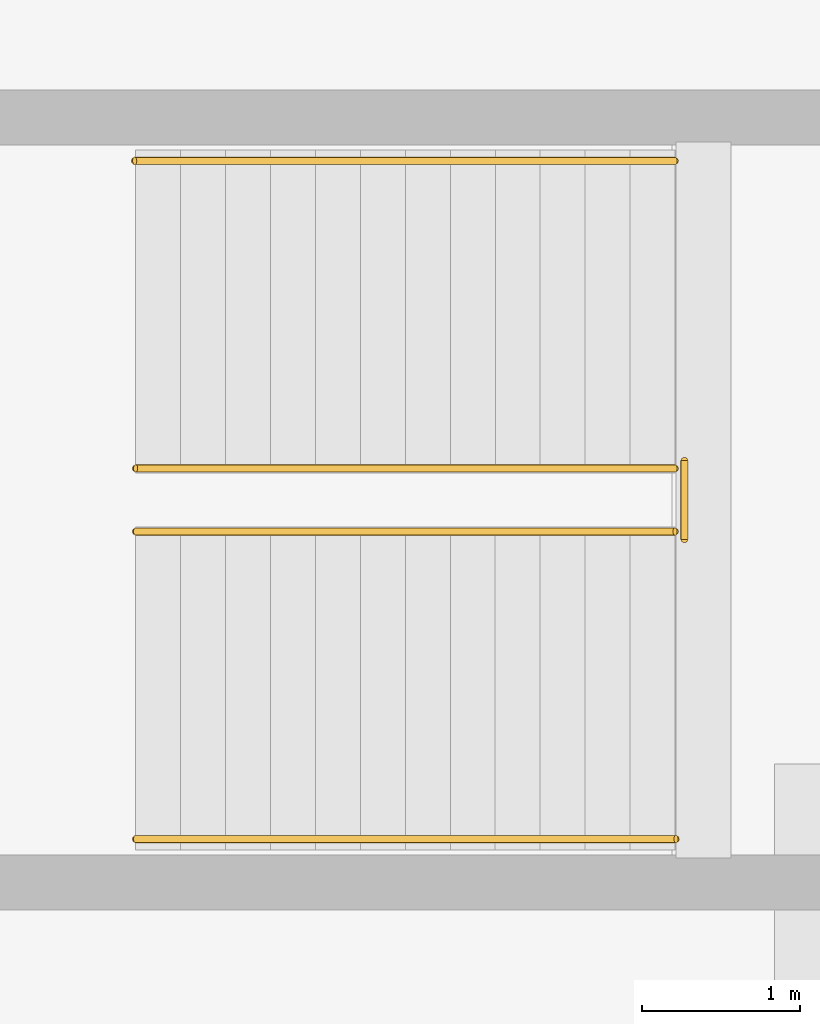
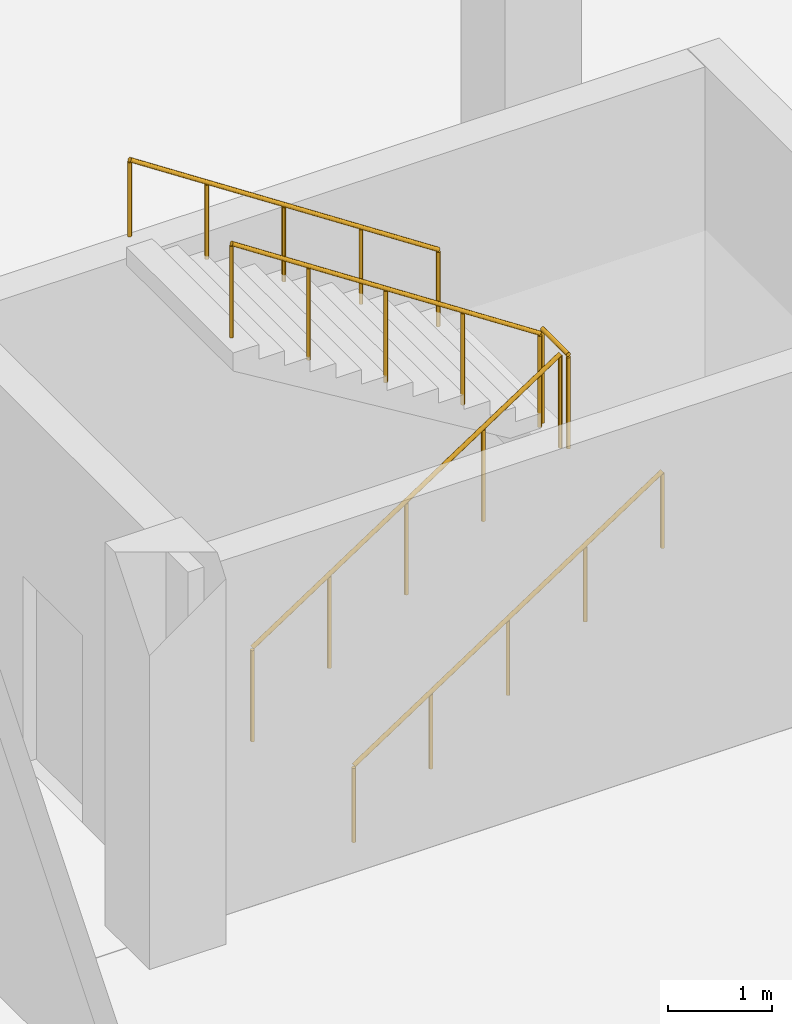
# One storey, part 29 of 29: 5 railings.
"""IFC4 building model written with IfcOpenShell, lengths in metres."""

from ifc_helpers import new_model, si_unit, direction, frame, origin, origin_2d, place, context, subcontext, project, spatial, circle, extrude, material, layer, layer_set, type_object, element, save


model = new_model("IFC4")

# Units and contexts
model_context = context("Model", 3, precision=1e-05, world=origin(), true_north=direction((0.0, 1.0)))
body_context = subcontext(model_context, "Body", "Model", "MODEL_VIEW")
ifc_project = project(units=[si_unit("LENGTHUNIT", "METRE"), si_unit("AREAUNIT", "SQUARE_METRE"), si_unit("VOLUMEUNIT", "CUBIC_METRE"), si_unit("PLANEANGLEUNIT", "RADIAN"), si_unit("MASSUNIT", "GRAM", prefix="KILO")], contexts=[model_context])

# Site, building, storey
site_placement = place(None, origin())
site = spatial("IfcSite", under=ifc_project, at=site_placement, CompositionType="ELEMENT")
building_placement = place(site_placement, origin())
building = spatial("IfcBuilding", under=site, at=building_placement, Name="Meriwether Solvik Hall", CompositionType="ELEMENT")
storey_placement = place(building_placement, frame((0.0, 0.0, -9.0)))
storey = spatial("IfcBuildingStorey", under=building, at=storey_placement, Name="B02", CompositionType="ELEMENT", Elevation=-9.0)

# Railings
ifc_material_1 = material(Name="Steel A36 Galvanised", Category="steel")
ifc_layer_1 = layer(ifc_material_1, 0.054931640625)
ifc_layer_set_1 = layer_set([ifc_layer_1], Name="Steel A36 Galvanised")
railing_type_1 = type_object("IfcRailingType", Name="RAIL-STR-GUARD", PredefinedType="GUARDRAIL", material=ifc_layer_set_1)
railing_1_placement = place(storey_placement, frame((146.429931640625, 60.75, 2.25)))
element("IfcRailing", 1, at=railing_1_placement, inside=storey, type_object=railing_type_1, Name="Stair ST-05 Landing Guardrail (B02)", PredefinedType="GUARDRAIL", context=body_context, shape_type="SweptSolid", body=[
    extrude(circle(Radius=0.02392578125, at=origin_2d()), frame((0.0, 0.0, 1.09619140625), z_axis=(0.0, 1.0, 0.0), x_axis=(-1.0, 0.0, 0.0)), (0.0, 0.0, 1.0), 0.5),
    extrude(circle(Radius=0.02099609375, at=origin_2d()), origin(), (0.0, 0.0, 1.0), 1.072021484375),
    extrude(circle(Radius=0.02099609375, at=origin_2d()), frame((0.0, 0.5, 0.0)), (0.0, 0.0, 1.0), 1.072021484375),
])
railing_2_placement = place(storey_placement, frame((142.949951171875, 60.800048828125, 0.0)))
element("IfcRailing", 2, at=railing_2_placement, inside=storey, type_object=railing_type_1, Name="Stair ST-05 Flight 1 Inner Guardrail (B02)", PredefinedType="GUARDRAIL", context=body_context, shape_type="SweptSolid", body=[
    extrude(circle(Radius=0.02392578125, at=origin_2d()), frame((0.0, 0.0, 1.09619140625), z_axis=(0.835429331894, 0.0, 0.549597881557), x_axis=(0.0, 1.0, 0.0)), (0.0, 0.0, 1.0), 4.093994140625),
    extrude(circle(Radius=0.02099609375, at=origin_2d()), origin(), (0.0, 0.0, 1.0), 1.072021484375),
    extrude(circle(Radius=0.02099609375, at=origin_2d()), frame((0.85498046875, 0.0, 0.5625)), (0.0, 0.0, 1.0), 1.072021484375),
    extrude(circle(Radius=0.02099609375, at=origin_2d()), frame((1.7099609375, 0.0, 1.125)), (0.0, 0.0, 1.0), 1.072021484375),
    extrude(circle(Radius=0.02099609375, at=origin_2d()), frame((2.565185546875, 0.0, 1.6875)), (0.0, 0.0, 1.0), 1.072021484375),
    extrude(circle(Radius=0.02099609375, at=origin_2d()), frame((3.420166015625, 0.0, 2.25)), (0.0, 0.0, 1.0), 1.072021484375),
])
railing_3_placement = place(storey_placement, frame((146.3701171875, 61.199951171875, 2.25)))
element("IfcRailing", 3, at=railing_3_placement, inside=storey, type_object=railing_type_1, Name="Stair ST-05 Flight 2 Inner Guardrail (B02)", PredefinedType="GUARDRAIL", context=body_context, shape_type="SweptSolid", body=[
    extrude(circle(Radius=0.02392578125, at=origin_2d()), frame((0.0, 0.0, 1.09619140625), z_axis=(-0.835429331894, 0.0, 0.549597881557), x_axis=(0.0, -1.0, 0.0)), (0.0, 0.0, 1.0), 4.093994140625),
    extrude(circle(Radius=0.02099609375, at=origin_2d()), origin(), (0.0, 0.0, 1.0), 1.072021484375),
    extrude(circle(Radius=0.02099609375, at=origin_2d()), frame((-0.85498046875, 0.0, 0.5625)), (0.0, 0.0, 1.0), 1.072021484375),
    extrude(circle(Radius=0.02099609375, at=origin_2d()), frame((-1.7099609375, 0.0, 1.125)), (0.0, 0.0, 1.0), 1.072021484375),
    extrude(circle(Radius=0.02099609375, at=origin_2d()), frame((-2.565185546875, 0.0, 1.6875)), (0.0, 0.0, 1.0), 1.072021484375),
    extrude(circle(Radius=0.02099609375, at=origin_2d()), frame((-3.420166015625, 0.0, 2.25)), (0.0, 0.0, 1.0), 1.072021484375),
])
ifc_material_2 = material(Name="Stainless Steel AISI 316", Category="steel")
ifc_layer_2 = layer(ifc_material_2, 0.044921875)
ifc_layer_set_2 = layer_set([ifc_layer_2], Name="Stainless Steel AISI 316")
railing_type_2 = type_object("IfcRailingType", Name="RAIL-STR-HAND", PredefinedType="HANDRAIL", material=ifc_layer_set_2)
railing_4_placement = place(storey_placement, frame((142.949951171875, 58.85009765625, 0.0)))
element("IfcRailing", 4, at=railing_4_placement, inside=storey, type_object=railing_type_2, Name="Stair ST-05 Lower Handrail (B02)", PredefinedType="HANDRAIL", context=body_context, shape_type="SweptSolid", body=[
    extrude(circle(Radius=0.02392578125, at=origin_2d()), frame((0.0, 0.0, 0.89599609375), z_axis=(0.835423556268, 0.0, 0.549606660833), x_axis=(0.0, 1.0, 0.0)), (0.0, 0.0, 1.0), 4.100830078125),
    extrude(circle(Radius=0.02099609375, at=origin_2d()), origin(), (0.0, 0.0, 1.0), 0.871826171875),
    extrude(circle(Radius=0.02099609375, at=origin_2d()), frame((0.8564453125, 0.0, 0.5634765625)), (0.0, 0.0, 1.0), 0.871826171875),
    extrude(circle(Radius=0.02099609375, at=origin_2d()), frame((1.712890625, 0.0, 1.126953125)), (0.0, 0.0, 1.0), 0.871826171875),
    extrude(circle(Radius=0.02099609375, at=origin_2d()), frame((2.569580078125, 0.0, 1.6904296875)), (0.0, 0.0, 1.0), 0.871826171875),
    extrude(circle(Radius=0.02099609375, at=origin_2d()), frame((3.426025390625, 0.0, 2.25390625)), (0.0, 0.0, 1.0), 0.871826171875),
])
railing_5_placement = place(storey_placement, frame((146.3701171875, 63.14990234375, 2.25)))
element("IfcRailing", 5, at=railing_5_placement, inside=storey, type_object=railing_type_2, Name="Stair ST-05 Upper Handrail (B02)", PredefinedType="HANDRAIL", context=body_context, shape_type="SweptSolid", body=[
    extrude(circle(Radius=0.02392578125, at=origin_2d()), frame((0.0, 0.0, 0.89599609375), z_axis=(-0.835423556268, 0.0, 0.549606660833), x_axis=(0.0, -1.0, 0.0)), (0.0, 0.0, 1.0), 4.100830078125),
    extrude(circle(Radius=0.02099609375, at=origin_2d()), origin(), (0.0, 0.0, 1.0), 0.871826171875),
    extrude(circle(Radius=0.02099609375, at=origin_2d()), frame((-0.8564453125, 0.0, 0.5634765625)), (0.0, 0.0, 1.0), 0.871826171875),
    extrude(circle(Radius=0.02099609375, at=origin_2d()), frame((-1.712890625, 0.0, 1.126953125)), (0.0, 0.0, 1.0), 0.871826171875),
    extrude(circle(Radius=0.02099609375, at=origin_2d()), frame((-2.569580078125, 0.0, 1.6904296875)), (0.0, 0.0, 1.0), 0.871826171875),
    extrude(circle(Radius=0.02099609375, at=origin_2d()), frame((-3.426025390625, 0.0, 2.25390625)), (0.0, 0.0, 1.0), 0.871826171875),
])

save(model, "model.ifc")
